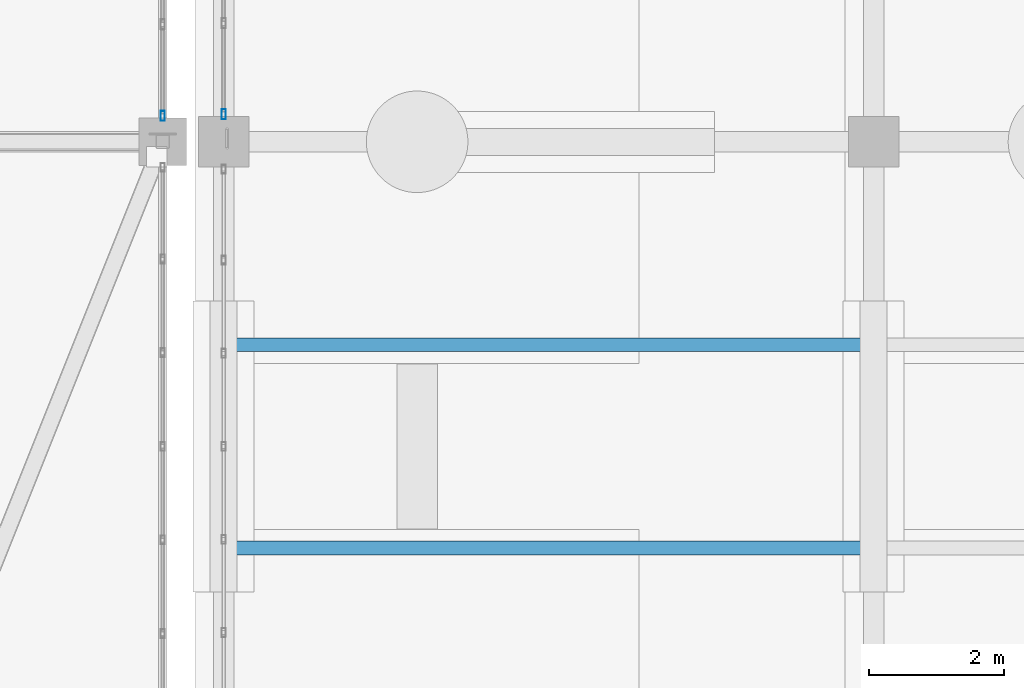
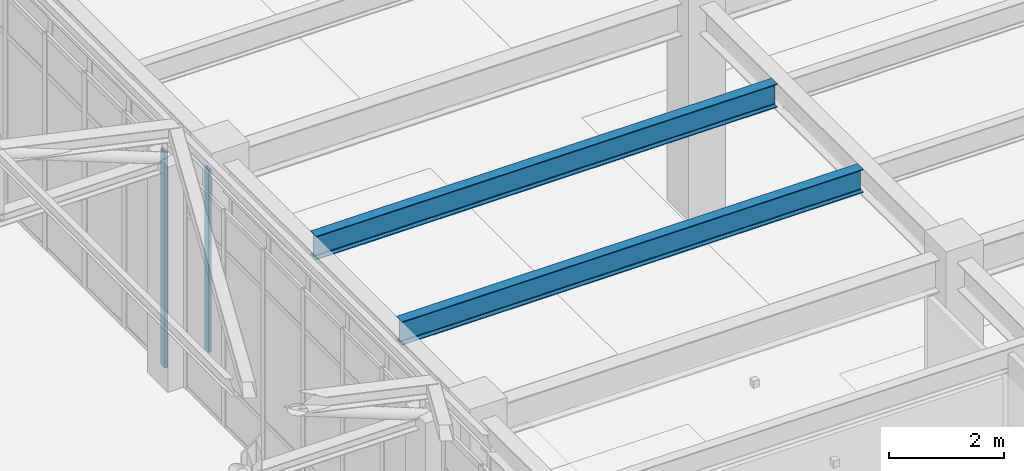
# One storey, part 50 of 139: 2 beams, 2 members, 2 elements without a shape of their own.
"""IFC4 building model written with IfcOpenShell, lengths in metres."""

from ifc_helpers import new_model, si_unit, direction, frame, origin, origin_2d, place, context, subcontext, project, spatial, hollow_rectangle, i_section, extrude, material, material_profile, profile_set, type_object, element, aggregate, save


model = new_model("IFC4")

# Units and contexts
model_context = context("Model", 3, precision=1e-05, world=origin(), true_north=direction((0.0, 1.0)))
body_context = subcontext(model_context, "Body", "Model", "MODEL_VIEW")
ifc_project = project(units=[si_unit("LENGTHUNIT", "METRE"), si_unit("AREAUNIT", "SQUARE_METRE"), si_unit("VOLUMEUNIT", "CUBIC_METRE"), si_unit("PLANEANGLEUNIT", "RADIAN"), si_unit("MASSUNIT", "GRAM", prefix="KILO")], contexts=[model_context])

# Site, building, storey
site_placement = place(None, origin())
site = spatial("IfcSite", under=ifc_project, at=site_placement, CompositionType="ELEMENT")
building_placement = place(site_placement, origin())
building = spatial("IfcBuilding", under=site, at=building_placement, Name="Canglan Escarpment Cableway Terminal", CompositionType="ELEMENT")
storey_placement = place(building_placement, frame((0.0, 0.0, 14.39990234375)))
storey = spatial("IfcBuildingStorey", under=building, at=storey_placement, Name="L03", CompositionType="ELEMENT", Elevation=14.39990234375)

# Curtain wall, member
ifc_material_1 = material(Name="Anodized bronze aluminium and Low-E double glazing", Category="aluminium")
curtain_wall_type_1 = type_object("IfcCurtainWallType", Name="CW-BAY-8300x4600", PredefinedType="NOTDEFINED", material=ifc_material_1)
curtain_wall_1_placement = place(storey_placement, origin())
curtain_wall_1 = element("IfcCurtainWall", 1, at=curtain_wall_1_placement, inside=storey, type_object=curtain_wall_type_1, Name="Classical bay-between-piers glazed curtain wall CW-45", PredefinedType="NOTDEFINED")
ifc_material_2 = material(Name="Thermally broken anodized aluminium 6063-T6", Category="aluminium")
ifc_material_profile_1 = material_profile(ifc_material_2, hollow_rectangle(XDim=0.06494140625, YDim=0.14990234375, WallThickness=0.00341796875, InnerFilletRadius=0.00341796875, OuterFilletRadius=0.007080078125, at=origin_2d()), Name="ALU-MULL 65x150x3.5")
ifc_profile_set_1 = profile_set([ifc_material_profile_1], Name="Thermally broken anodized aluminium 6063-T6")
member_type = type_object("IfcMemberType", Name="CWM-02", PredefinedType="MULLION", material=ifc_profile_set_1)
member_1_placement = place(storey_placement, frame((136.699951171875, 70.382568359375, 0.0), z_axis=(0.0, 0.0, 1.0), x_axis=(-1.0, 0.0, 0.0)))
member_1 = element("IfcMember", 2, at=member_1_placement, type_object=member_type, Name="CW-45 mullion 1", PredefinedType="MULLION", context=body_context, shape_type="SweptSolid", body=[
    extrude(hollow_rectangle(XDim=0.06494140625, YDim=0.14990234375, WallThickness=0.00341796875, InnerFilletRadius=0.00341796875, OuterFilletRadius=0.007080078125, at=origin_2d()), origin(), (0.0, 0.0, 1.0), 4.60009765625),
])
aggregate(curtain_wall_1, [member_1])

curtain_wall_type_2 = type_object("IfcCurtainWallType", Name="CW-BAY-8250x3900", PredefinedType="NOTDEFINED", material=ifc_material_1)
curtain_wall_2_placement = place(storey_placement, origin())
curtain_wall_2 = element("IfcCurtainWall", 3, at=curtain_wall_2_placement, inside=storey, type_object=curtain_wall_type_2, Name="Classical bay-between-piers glazed curtain wall CW-62", PredefinedType="NOTDEFINED")
member_2_placement = place(storey_placement, frame((137.60009765625, 70.407470703125, 0.0), z_axis=(0.0, 0.0, 1.0), x_axis=(1.0, 0.0, 0.0)))
member_2 = element("IfcMember", 4, at=member_2_placement, type_object=member_type, Name="CW-62 mullion 7", PredefinedType="MULLION", context=body_context, shape_type="SweptSolid", body=[
    extrude(hollow_rectangle(XDim=0.06494140625, YDim=0.14990234375, WallThickness=0.00341796875, InnerFilletRadius=0.00341796875, OuterFilletRadius=0.007080078125, at=origin_2d()), origin(), (0.0, 0.0, 1.0), 3.89111328125),
])
aggregate(curtain_wall_2, [member_2])

# Beams
ifc_material_3 = material(Name="Steel Q355B", Category="steel")
ifc_material_profile_2 = material_profile(ifc_material_3, i_section(OverallWidth=0.199951171875, OverallDepth=0.5, WebThickness=0.010009765625, FlangeThickness=0.01611328125, FilletRadius=0.02001953125, at=origin_2d()), Name="HN 500x200x10x16")
ifc_profile_set_2 = profile_set([ifc_material_profile_2], Name="Steel Q355B")
beam_type = type_object("IfcBeamType", Name="JS-HN500", PredefinedType="JOIST", material=ifc_profile_set_2)
for number, where, z_axis, x_axis, name in (
    (5, (137.7509765625, 64.0, 4.25), (1.0, 0.0, 0.0), (0.0, 1.0, 0.0), "Secondary composite deck joist J-01"),
    (6, (137.7509765625, 67.0, 4.25), (1.0, 0.0, 0.0), (0.0, 1.0, 0.0), "Secondary composite deck joist J-01"),
):
    element("IfcBeam", number, at=place(storey_placement, frame(where, z_axis=z_axis, x_axis=x_axis)), inside=storey, type_object=beam_type, Name=name, PredefinedType="JOIST", context=body_context, shape_type="SweptSolid", body=[
        extrude(i_section(OverallWidth=0.199951171875, OverallDepth=0.5, WebThickness=0.010009765625, FlangeThickness=0.01611328125, FilletRadius=0.02001953125, at=origin_2d()), origin(), (0.0, 0.0, 1.0), 9.298095703125),
    ])

save(model, "model.ifc")
